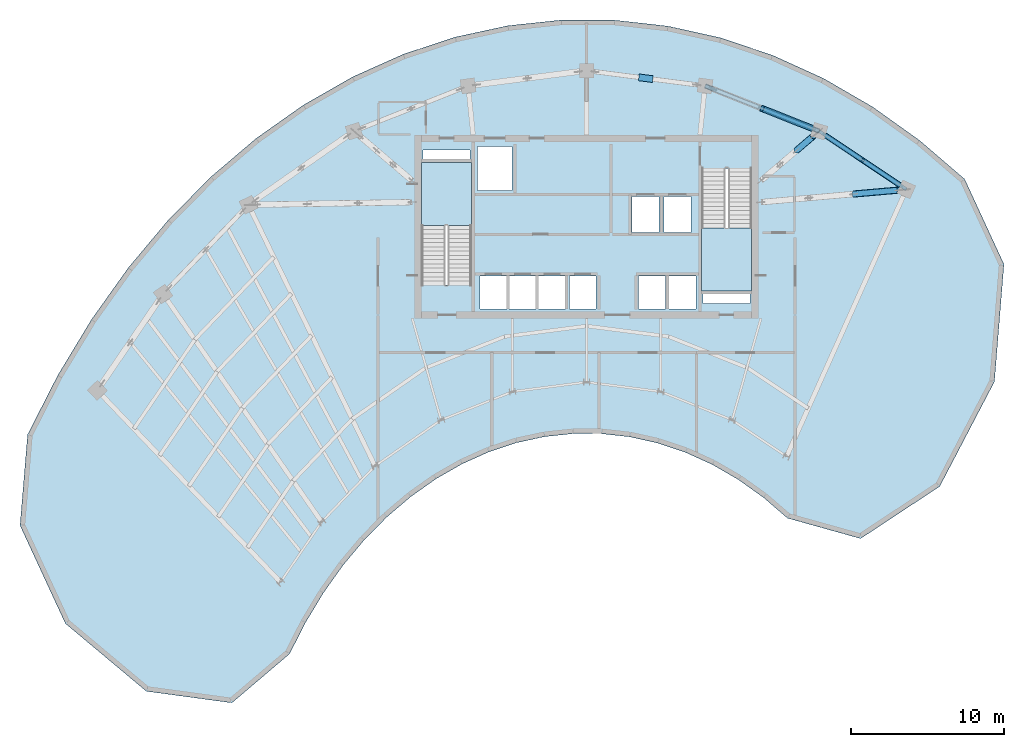
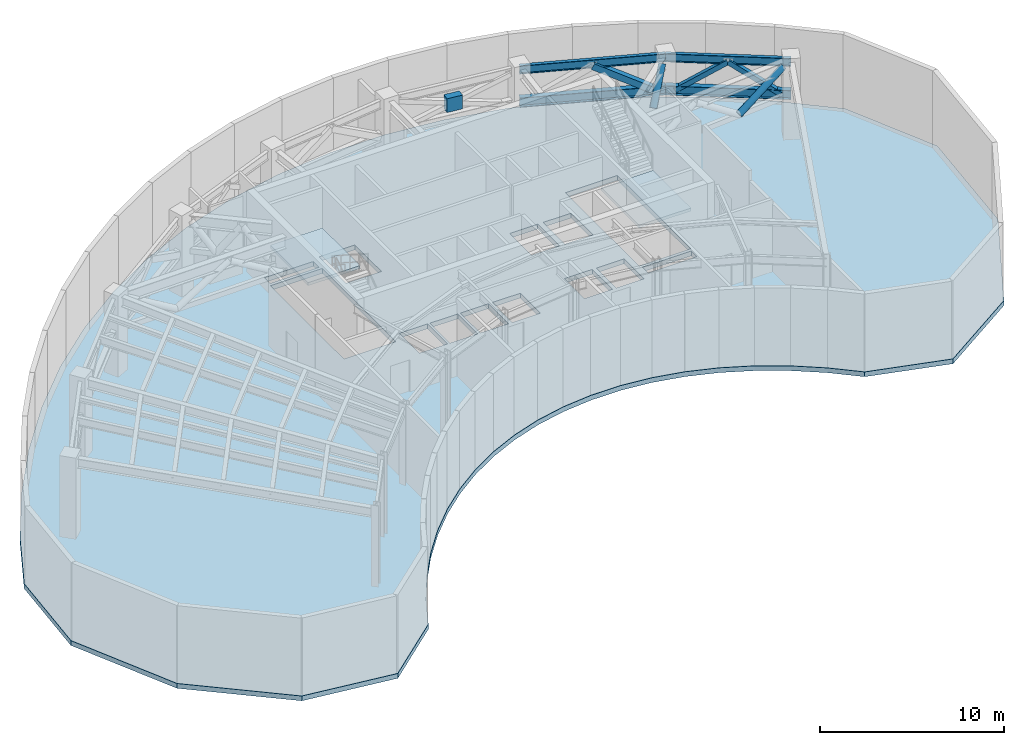
# One storey, part 3 of 10: 5 members, 4 beams, 3 slabs, 1 plate, 2 elements without a shape of their own.
"""IFC4 building model written with IfcOpenShell, lengths in metres."""

from ifc_helpers import new_model, si_unit, direction, frame, origin, origin_2d, place, context, subcontext, project, spatial, polyline, rectangle, hollow_rectangle, hollow_circle, i_section, outline, extrude, source, transform, mapped, material, layer, layer_set, material_profile, profile_set, type_object, type_shapes, element, aggregate, save


model = new_model("IFC4")

# Units and contexts
model_context = context("Model", 3, precision=1e-05, world=origin(), true_north=direction((0.0, 1.0)))
body_context = subcontext(model_context, "Body", "Model", "MODEL_VIEW")
ifc_project = project(units=[si_unit("LENGTHUNIT", "METRE"), si_unit("AREAUNIT", "SQUARE_METRE"), si_unit("VOLUMEUNIT", "CUBIC_METRE"), si_unit("PLANEANGLEUNIT", "RADIAN"), si_unit("MASSUNIT", "GRAM", prefix="KILO")], contexts=[model_context])

# Site, building, storey
site_placement = place(None, origin())
site = spatial("IfcSite", under=ifc_project, at=site_placement, CompositionType="ELEMENT")
building_placement = place(site_placement, origin())
building = spatial("IfcBuilding", under=site, at=building_placement, Name="Breltana Convention Tower", CompositionType="ELEMENT")
storey_placement = place(building_placement, frame((0.0, 0.0, 254.699951171875)))
storey = spatial("IfcBuildingStorey", under=building, at=storey_placement, Name="L62", CompositionType="ELEMENT", Elevation=254.699951171875)

# Beams
ifc_material_1 = material(Name="Steel ASTM A992 Grade 50", Category="steel")
ifc_material_profile_1 = material_profile(ifc_material_1, i_section(OverallWidth=0.323974609375, OverallDepth=0.611083984375, WebThickness=0.0126953125, FlangeThickness=0.01904296875, at=origin_2d()), Name="W24X104")
ifc_profile_set_1 = profile_set([ifc_material_profile_1], Name="Steel ASTM A992 Grade 50")
beam_type_1 = type_object("IfcBeamType", Name="BM-SP-W24X104", PredefinedType="SPANDREL", material=ifc_profile_set_1)
shared_shape_1 = source(origin(), body_context, "Body", "SweptSolid", [
    extrude(i_section(OverallWidth=0.323974609375, OverallDepth=0.611083984375, WebThickness=0.0126953125, FlangeThickness=0.01904296875, at=origin_2d()), origin(), (0.0, 0.0, 1.0), 8.028564453125),
])
beam_1_placement = place(storey_placement, frame((55.746826171875, 75.404296875, 2.75), z_axis=(0.929459100394, -0.368925169507, 0.0), x_axis=(0.368925169507, 0.929459100394, 0.0)))
element("IfcBeam", 1, at=beam_1_placement, inside=storey, type_object=beam_type_1, Name="L62 Perimeter Belt Truss Sill Chord 07", PredefinedType="SPANDREL", context=body_context, shape_type="MappedRepresentation", body=[
    mapped(shared_shape_1, transform((0.0, 0.0, 0.0), scale=1.0)),
])
shared_shape_2 = source(origin(), body_context, "Body", "SweptSolid", [
    extrude(i_section(OverallWidth=0.323974609375, OverallDepth=0.611083984375, WebThickness=0.0126953125, FlangeThickness=0.01904296875, at=origin_2d()), origin(), (0.0, 0.0, 1.0), 6.856689453125),
])
beam_2_placement = place(storey_placement, frame((63.208984375, 72.4423828125, 2.75), z_axis=(0.83150210718, -0.55552159792, 0.0), x_axis=(0.55552159792, 0.83150210718, 0.0)))
element("IfcBeam", 2, at=beam_2_placement, inside=storey, type_object=beam_type_1, Name="L62 Perimeter Belt Truss Sill Chord 08", PredefinedType="SPANDREL", context=body_context, shape_type="MappedRepresentation", body=[
    mapped(shared_shape_2, transform((0.0, 0.0, 0.0), scale=1.0)),
])

# Members
ifc_material_2 = material(Name="Steel EN 10210 S355J2H", Category="steel")
ifc_material_profile_2 = material_profile(ifc_material_2, hollow_circle(Radius=0.202880859375, WallThickness=0.01611328125, at=origin_2d()), Name="CHS406X16")
ifc_profile_set_2 = profile_set([ifc_material_profile_2], Name="Steel EN 10210 S355J2H")
member_type_1 = type_object("IfcMemberType", Name="MB-BR-CHS406X16", PredefinedType="BRACE", material=ifc_profile_set_2)
shared_shape_3 = source(origin(), body_context, "Body", "SweptSolid", [
    extrude(hollow_circle(Radius=0.202880859375, WallThickness=0.01611328125, at=origin_2d()), origin(), (0.0, 0.0, 1.0), 2.471923828125),
])
member_1_placement = place(storey_placement, frame((61.736328125, 71.188720703125, 2.75), z_axis=(0.441764899788, 0.376087802011, 0.814494774995), x_axis=(-0.648236249952, 0.761439271543, 0.0)))
element("IfcMember", 3, at=member_1_placement, inside=storey, type_object=member_type_1, Name="L62 Outrigger Truss Diagonal 3 R08N", PredefinedType="BRACE", context=body_context, shape_type="MappedRepresentation", body=[
    mapped(shared_shape_3, transform((0.0, 0.0, 0.0), scale=1.0)),
])
shared_shape_4 = source(origin(), body_context, "Body", "SweptSolid", [
    extrude(hollow_circle(Radius=0.202880859375, WallThickness=0.01611328125, at=origin_2d()), origin(), (0.0, 0.0, 1.0), 3.57080078125),
])
member_2_placement = place(storey_placement, frame((65.474609375, 68.332275390625, 2.75), z_axis=(0.822718480419, 0.072063930721, 0.563862653371), x_axis=(-0.087258351559, 0.996185715659, 0.0)))
element("IfcMember", 4, at=member_2_placement, inside=storey, type_object=member_type_1, Name="L62 Outrigger Truss Diagonal 3 R09E", PredefinedType="BRACE", context=body_context, shape_type="MappedRepresentation", body=[
    mapped(shared_shape_4, transform((0.0, 0.0, 0.0), scale=1.0)),
])
ifc_material_profile_3 = material_profile(ifc_material_2, hollow_rectangle(XDim=0.39990234375, YDim=0.39990234375, WallThickness=0.01611328125, at=origin_2d()), Name="RHS400X400X16")
ifc_profile_set_3 = profile_set([ifc_material_profile_3], Name="Steel EN 10210 S355J2H")
member_type_2 = type_object("IfcMemberType", Name="MB-BR-RHS400X400X16", PredefinedType="BRACE", material=ifc_profile_set_3)
shared_shape_5 = source(origin(), body_context, "Body", "SweptSolid", [
    extrude(hollow_rectangle(XDim=0.39990234375, YDim=0.39990234375, WallThickness=0.01611328125, at=origin_2d()), origin(), (0.0, 0.0, 1.0), 4.0068359375),
])
member_3_placement = place(storey_placement, frame((59.477783203125, 73.923583984375, 4.763427734375), z_axis=(0.803598104465, -0.318965507383, -0.502484916789), x_axis=(0.368922833074, 0.929460027778, 0.0)))
element("IfcMember", 5, at=member_3_placement, inside=storey, type_object=member_type_2, Name="L62 Perimeter Belt Truss Brace 07B", PredefinedType="BRACE", context=body_context, shape_type="MappedRepresentation", body=[
    mapped(shared_shape_5, transform((0.0, 0.0, 0.0), scale=1.0)),
])
ifc_material_profile_4 = material_profile(ifc_material_2, hollow_rectangle(XDim=0.300048828125, YDim=0.300048828125, WallThickness=0.011962890625, at=origin_2d()), Name="RHS300X300X12")
ifc_profile_set_4 = profile_set([ifc_material_profile_4], Name="Steel EN 10210 S355J2H")
member_type_3 = type_object("IfcMemberType", Name="MB-BR-RHS300X300X12", PredefinedType="BRACE", material=ifc_profile_set_4)
shared_shape_6 = source(origin(), body_context, "Body", "SweptSolid", [
    extrude(hollow_rectangle(XDim=0.300048828125, YDim=0.300048828125, WallThickness=0.011962890625, at=origin_2d()), origin(), (0.0, 0.0, 1.0), 3.512939453125),
])
member_4_placement = place(storey_placement, frame((63.666259765625, 72.136962890625, 2.75), z_axis=(0.681369272999, -0.455219169538, 0.573159158958), x_axis=(0.555521954479, 0.831501868964, 0.0)))
element("IfcMember", 6, at=member_4_placement, inside=storey, type_object=member_type_3, Name="L62 Perimeter Belt Truss Brace 08A", PredefinedType="BRACE", context=body_context, shape_type="MappedRepresentation", body=[
    mapped(shared_shape_6, transform((0.0, 0.0, 0.0), scale=1.0)),
])
shared_shape_7 = source(origin(), body_context, "Body", "SweptSolid", [
    extrude(hollow_rectangle(XDim=0.300048828125, YDim=0.300048828125, WallThickness=0.011962890625, at=origin_2d()), origin(), (0.0, 0.0, 1.0), 3.5126953125),
])
member_5_placement = place(storey_placement, frame((66.059814453125, 70.537841796875, 4.763427734375), z_axis=(0.681332037185, -0.455240726672, -0.573186301201), x_axis=(0.555561133013, 0.831475692661, 0.0)))
element("IfcMember", 7, at=member_5_placement, inside=storey, type_object=member_type_3, Name="L62 Perimeter Belt Truss Brace 08B", PredefinedType="BRACE", context=body_context, shape_type="MappedRepresentation", body=[
    mapped(shared_shape_7, transform((0.0, 0.0, 0.0), scale=1.0)),
])

# Beams
ifc_material_profile_5 = material_profile(ifc_material_1, i_section(OverallWidth=0.214111328125, OverallDepth=0.549072265625, WebThickness=0.0146484375, FlangeThickness=0.023681640625, at=origin_2d()), Name="W21X93")
ifc_profile_set_5 = profile_set([ifc_material_profile_5], Name="Steel ASTM A992 Grade 50")
beam_type_2 = type_object("IfcBeamType", Name="BM-SP-W21X93", PredefinedType="SPANDREL", material=ifc_profile_set_5)
shared_shape_8 = source(origin(), body_context, "Body", "SweptSolid", [
    extrude(i_section(OverallWidth=0.214111328125, OverallDepth=0.549072265625, WebThickness=0.0146484375, FlangeThickness=0.023681640625, at=origin_2d()), origin(), (0.0, 0.0, 1.0), 8.028564453125),
])
beam_3_placement = place(storey_placement, frame((55.746826171875, 75.404296875, 4.87548828125), z_axis=(0.929459100394, -0.368925169507, 0.0), x_axis=(0.368925169507, 0.929459100394, 0.0)))
element("IfcBeam", 8, at=beam_3_placement, inside=storey, type_object=beam_type_2, Name="L62 Outer Spandrel Beam 07", PredefinedType="SPANDREL", context=body_context, shape_type="MappedRepresentation", body=[
    mapped(shared_shape_8, transform((0.0, 0.0, 0.0), scale=1.0)),
])
shared_shape_9 = source(origin(), body_context, "Body", "SweptSolid", [
    extrude(i_section(OverallWidth=0.214111328125, OverallDepth=0.549072265625, WebThickness=0.0146484375, FlangeThickness=0.023681640625, at=origin_2d()), origin(), (0.0, 0.0, 1.0), 6.856689453125),
])
beam_4_placement = place(storey_placement, frame((63.208984375, 72.4423828125, 4.87548828125), z_axis=(0.83150210718, -0.55552159792, 0.0), x_axis=(0.55552159792, 0.83150210718, 0.0)))
element("IfcBeam", 9, at=beam_4_placement, inside=storey, type_object=beam_type_2, Name="L62 Outer Spandrel Beam 08", PredefinedType="SPANDREL", context=body_context, shape_type="MappedRepresentation", body=[
    mapped(shared_shape_9, transform((0.0, 0.0, 0.0), scale=1.0)),
])

# Slab
ifc_material_3 = material(Name="Concrete C50/60", Category="concrete")
ifc_layer_1 = layer(ifc_material_3, 0.320068359375, Name="Concrete C50/60")
ifc_layer_set_1 = layer_set([ifc_layer_1], Name="Concrete C50/60")
slab_type_1 = type_object("IfcSlabType", Name="SL-PLANT-320", PredefinedType="FLOOR", material=ifc_layer_set_1)
slab_1_placement = place(storey_placement, frame((0.0, 0.0, -0.320068359375)))
element("IfcSlab", 10, at=slab_1_placement, inside=storey, type_object=slab_type_1, Name="L62 Suspended Structural Floor Slab", PredefinedType="FLOOR", context=body_context, shape_type="SweptSolid", body=[
    extrude(outline(polyline([(72.72119140625, 69.309326171875), (69.777587890625, 71.839111328125), (66.690673828125, 74.040771484375), (63.480712890625, 75.89990234375), (60.1689453125, 77.404296875), (56.777099609375, 78.543701171875), (53.3271484375, 79.31103515625), (49.84228515625, 79.701171875), (46.345458984375, 79.71142578125), (42.859375, 79.341796875), (39.4072265625, 78.594482421875), (36.01171875, 77.474853515625), (32.69482421875, 75.989990234375), (29.47900390625, 74.149658203125), (26.385009765625, 71.966064453125), (23.43310546875, 69.453369140625), (20.64306640625, 66.62841796875), (18.033203125, 63.509765625), (15.62060546875, 60.11767578125), (13.4208984375, 56.474853515625), (11.44921875, 52.60498046875), (10.952392578125, 46.661865234375), (13.9169921875, 40.24951171875), (19.210693359375, 35.81689453125), (24.811279296875, 35.0576171875), (28.57958984375, 38.260986328125), (29.62744140625, 40.317138671875), (30.796142578125, 42.252685546875), (32.077880859375, 44.05517578125), (33.464599609375, 45.712158203125), (34.947021484375, 47.213134765625), (36.515380859375, 48.548095703125), (38.1591796875, 49.708251953125), (39.8681640625, 50.68603515625), (41.63037109375, 51.47509765625), (43.4345703125, 52.070068359375), (45.268798828125, 52.467041015625), (47.120849609375, 52.663330078125), (48.97900390625, 52.657958984375), (50.83056640625, 52.45068359375), (52.663330078125, 52.04296875), (54.465576171875, 51.4375), (56.225341796875, 50.63818359375), (57.930908203125, 49.650390625), (59.57080078125, 48.480712890625), (61.135009765625, 47.136474609375), (65.921142578125, 45.801025390625), (71.092041015625, 49.210205078125), (74.67236328125, 56.06201171875), (75.294677734375, 63.7392578125), (72.72119140625, 69.309326171875)]), holes=[polyline([(37.199951171875, 62.385009765625), (40.469970703125, 62.385009765625), (40.469970703125, 70.39990234375), (37.199951171875, 70.39990234375), (37.199951171875, 62.385009765625)]), polyline([(55.530029296875, 62.0), (58.800048828125, 62.0), (58.800048828125, 70.014892578125), (55.530029296875, 70.014892578125), (55.530029296875, 62.0)]), polyline([(41.0400390625, 60.800048828125), (42.800048828125, 60.800048828125), (42.800048828125, 62.97998046875), (41.0400390625, 62.97998046875), (41.0400390625, 60.800048828125)]), polyline([(42.93994140625, 60.800048828125), (44.699951171875, 60.800048828125), (44.699951171875, 62.97998046875), (42.93994140625, 62.97998046875), (42.93994140625, 60.800048828125)]), polyline([(44.8701171875, 60.800048828125), (46.6298828125, 60.800048828125), (46.6298828125, 62.97998046875), (44.8701171875, 62.97998046875), (44.8701171875, 60.800048828125)]), polyline([(46.8701171875, 60.800048828125), (48.6298828125, 60.800048828125), (48.6298828125, 62.97998046875), (46.8701171875, 62.97998046875), (46.8701171875, 60.800048828125)]), polyline([(51.39990234375, 60.800048828125), (53.159912109375, 60.800048828125), (53.159912109375, 62.97998046875), (51.39990234375, 62.97998046875), (51.39990234375, 60.800048828125)]), polyline([(53.39990234375, 60.800048828125), (55.159912109375, 60.800048828125), (55.159912109375, 62.97998046875), (53.39990234375, 62.97998046875), (53.39990234375, 60.800048828125)]), polyline([(50.969970703125, 65.800048828125), (52.72998046875, 65.800048828125), (52.72998046875, 68.179931640625), (50.969970703125, 68.179931640625), (50.969970703125, 65.800048828125)]), polyline([(53.070068359375, 65.800048828125), (54.830078125, 65.800048828125), (54.830078125, 68.179931640625), (53.070068359375, 68.179931640625), (53.070068359375, 65.800048828125)]), polyline([(40.8798828125, 68.550048828125), (43.1201171875, 68.550048828125), (43.1201171875, 71.449951171875), (40.8798828125, 71.449951171875), (40.8798828125, 68.550048828125)]), polyline([(37.300048828125, 70.60009765625), (40.3798828125, 70.60009765625), (40.3798828125, 71.219970703125), (37.300048828125, 71.219970703125), (37.300048828125, 70.60009765625)]), polyline([(55.6201171875, 61.179931640625), (58.699951171875, 61.179931640625), (58.699951171875, 61.800048828125), (55.6201171875, 61.800048828125), (55.6201171875, 61.179931640625)])]), origin(), (0.0, 0.0, 1.0), 0.320068359375),
])

# Stair, slab
ifc_material_4 = material(Name="Concrete C40/50", Category="concrete")
stair_type = type_object("IfcStairType", Name="ST-DOG-1560-R180", PredefinedType="HALF_TURN_STAIR", material=ifc_material_4)
stair_1_placement = place(storey_placement, origin())
stair_1 = element("IfcStair", 11, at=stair_1_placement, inside=storey, type_object=stair_type, Name="L62 Protected Core Exit Stair ST-1", PredefinedType="HALF_TURN_STAIR")
ifc_layer_2 = layer(ifc_material_4, 0.199951171875, Name="Concrete C40/50")
ifc_layer_set_2 = layer_set([ifc_layer_2], Name="Concrete C40/50")
slab_type_2 = type_object("IfcSlabType", Name="SL-STAIR-LANDING-200", PredefinedType="LANDING", material=ifc_layer_set_2)
slab_2_placement = place(storey_placement, frame((0.0, 0.0, 2.5)))
slab_2 = element("IfcSlab", 12, at=slab_2_placement, type_object=slab_type_2, Name="ST-1 landing 1", PredefinedType="LANDING", context=body_context, shape_type="SweptSolid", body=[
    extrude(outline(polyline([(40.469970703125, 66.280029296875), (40.469970703125, 70.39990234375), (37.199951171875, 70.39990234375), (37.199951171875, 66.280029296875), (40.469970703125, 66.280029296875)])), origin(), (0.0, 0.0, 1.0), 0.199951171875),
])
aggregate(stair_1, [slab_2])

stair_2_placement = place(storey_placement, origin())
stair_2 = element("IfcStair", 13, at=stair_2_placement, inside=storey, type_object=stair_type, Name="L62 Protected Core Exit Stair ST-2", PredefinedType="HALF_TURN_STAIR")
slab_3_placement = place(storey_placement, frame((0.0, 0.0, 2.5)))
slab_3 = element("IfcSlab", 14, at=slab_3_placement, type_object=slab_type_2, Name="ST-2 landing 1", PredefinedType="LANDING", context=body_context, shape_type="SweptSolid", body=[
    extrude(outline(polyline([(55.530029296875, 66.1201171875), (55.530029296875, 62.0), (58.800048828125, 62.0), (58.800048828125, 66.1201171875), (55.530029296875, 66.1201171875)])), origin(), (0.0, 0.0, 1.0), 0.199951171875),
])
aggregate(stair_2, [slab_3])

# Plate
ifc_material_5 = material(Name="Steel S355", Category="steel")
ifc_layer_3 = layer(ifc_material_5, 0.0400390625, Name="Steel S355")
ifc_layer_set_3 = layer_set([ifc_layer_3], Name="Steel S355")
plate_type = type_object("IfcPlateType", Name="PL-GUSSET-40", PredefinedType="USERDEFINED", material=ifc_layer_set_3)
shared_shape_10 = source(origin(), body_context, "Body", "SweptSolid", [
    extrude(rectangle(XDim=0.919921875, YDim=0.43994140625, at=origin_2d()), origin(), (0.0, 0.0, 1.0), 0.919921875),
])
type_shapes(plate_type, [shared_shape_10])
plate_placement = place(storey_placement, frame((51.873291015625, 75.904296875, 3.296875), z_axis=(0.0, 0.0, 1.0), x_axis=(0.99178318013, -0.127930151302, 0.0)))
element("IfcPlate", 15, at=plate_placement, inside=storey, type_object=plate_type, Name="L62 Belt X-Brace Crossing Gusset Plate 06", ObjectType="GUSSET_PLATE", PredefinedType="USERDEFINED", context=body_context, shape_type="MappedRepresentation", body=[
    mapped(shared_shape_10, transform((0.0, 0.0, 0.0), scale=1.0)),
])

save(model, "model.ifc")
